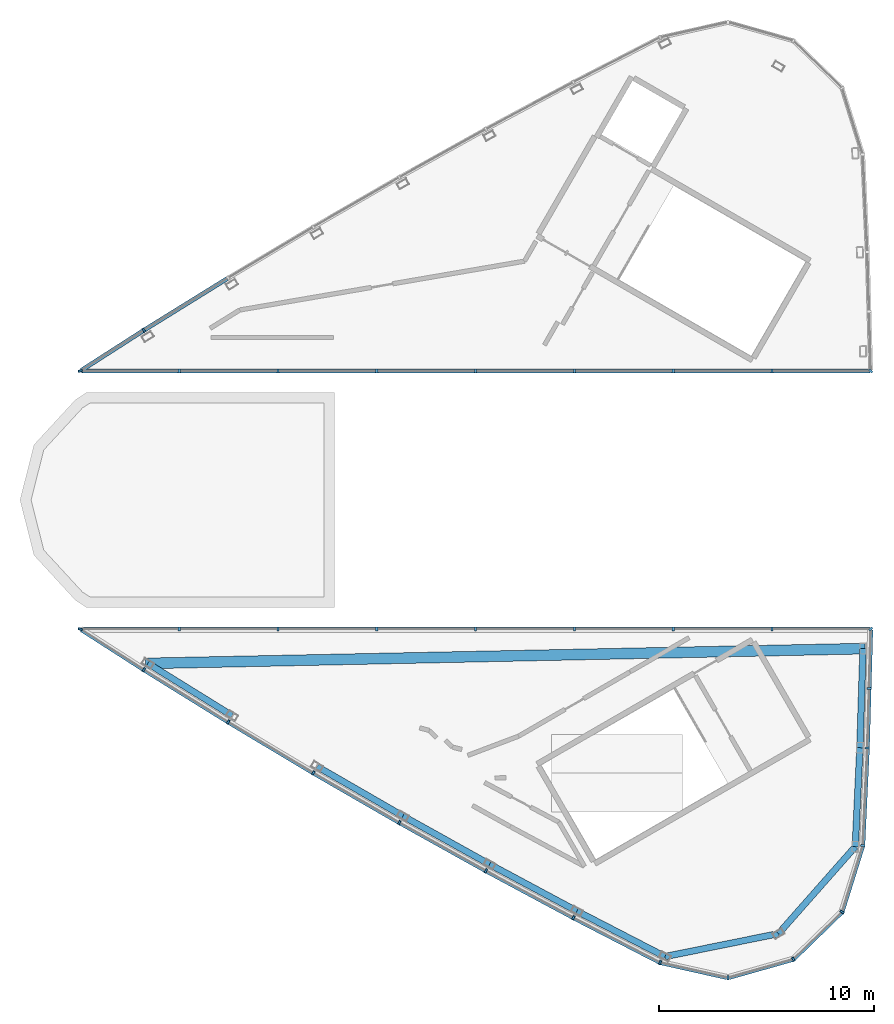
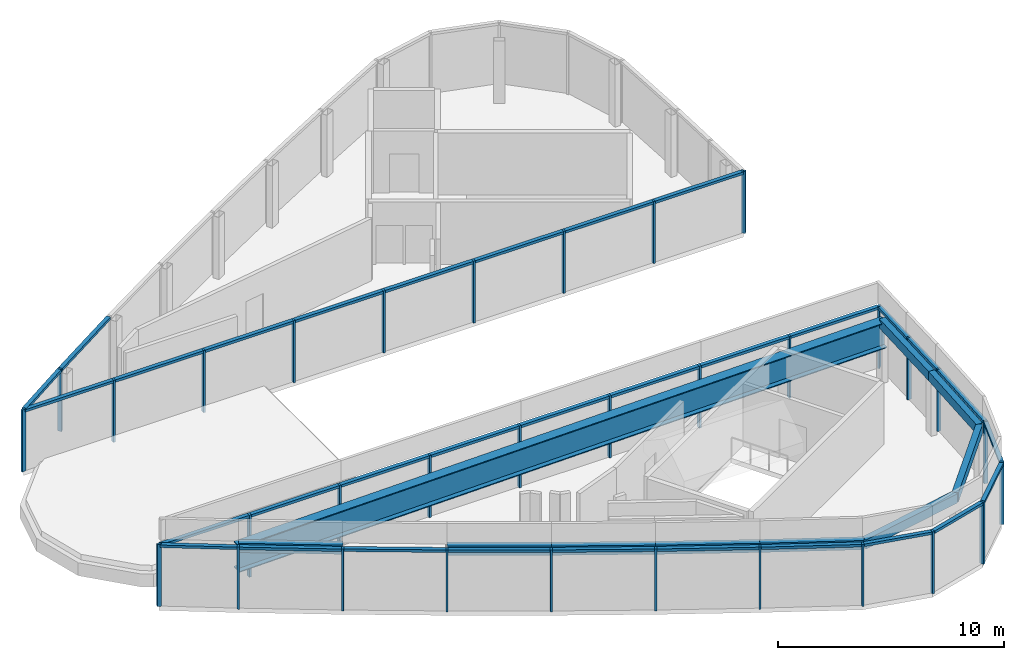
# One storey, part 2 of 7: 54 members, 10 beams, 2 elements without a shape of their own.
"""IFC4 building model written with IfcOpenShell, lengths in metres."""

from ifc_helpers import new_model, si_unit, direction, frame, origin, origin_2d, place, context, subcontext, project, spatial, rectangle, hollow_rectangle, i_section, extrude, material, material_profile, profile_set, type_object, element, aggregate, save


model = new_model("IFC4")

# Units and contexts
model_context = context("Model", 3, precision=1e-05, world=origin(), true_north=direction((0.0, 1.0)))
body_context = subcontext(model_context, "Body", "Model", "MODEL_VIEW")
ifc_project = project(units=[si_unit("LENGTHUNIT", "METRE"), si_unit("AREAUNIT", "SQUARE_METRE"), si_unit("VOLUMEUNIT", "CUBIC_METRE"), si_unit("PLANEANGLEUNIT", "RADIAN"), si_unit("MASSUNIT", "GRAM", prefix="KILO")], contexts=[model_context])

# Site, building, storey
site_placement = place(None, origin())
site = spatial("IfcSite", under=ifc_project, at=site_placement, CompositionType="ELEMENT")
building_placement = place(site_placement, origin())
building = spatial("IfcBuilding", under=site, at=building_placement, Name="Tamra Quay Hotel Tower", CompositionType="ELEMENT")
storey_placement = place(building_placement, frame((0.0, 0.0, 335.0)))
storey = spatial("IfcBuildingStorey", under=building, at=storey_placement, Name="Roof crown 5", CompositionType="ELEMENT", Elevation=335.0)

# Beams
ifc_material_1 = material(Name="Structural steel IS 2062 E350", Category="steel")
ifc_material_profile_1 = material_profile(ifc_material_1, hollow_rectangle(XDim=0.300048828125, YDim=0.5, WallThickness=0.01611328125, at=origin_2d()), Name="RHS 500x300x16")
ifc_profile_set_1 = profile_set([ifc_material_profile_1], Name="Structural steel IS 2062 E350")
beam_type_1 = type_object("IfcBeamType", Name="CROWN FRAME RING BEAM RHS 500x300x16", PredefinedType="BEAM", material=ifc_profile_set_1)
beam_1_placement = place(storey_placement, frame((-9.81201171875, -12.3876953125, 3.10009765625), z_axis=(0.866003789707, -0.500037434811, 0.0), x_axis=(0.500037434811, 0.866003789707, 0.0)))
element("IfcBeam", 1, at=beam_1_placement, inside=storey, type_object=beam_type_1, Name="CF-B-RB00", PredefinedType="BEAM", context=body_context, shape_type="SweptSolid", body=[
    extrude(hollow_rectangle(XDim=0.300048828125, YDim=0.5, WallThickness=0.01611328125, at=origin_2d()), origin(), (0.0, 0.0, 1.0), 4.607177734375),
])
beam_2_placement = place(storey_placement, frame((-5.822265625, -14.69140625, 3.10009765625), z_axis=(0.873752024122, -0.486371668935, 0.0), x_axis=(0.486371668935, 0.873752024122, 0.0)))
element("IfcBeam", 2, at=beam_2_placement, inside=storey, type_object=beam_type_1, Name="CF-B-RB01", PredefinedType="BEAM", context=body_context, shape_type="SweptSolid", body=[
    extrude(hollow_rectangle(XDim=0.300048828125, YDim=0.5, WallThickness=0.01611328125, at=origin_2d()), origin(), (0.0, 0.0, 1.0), 4.60693359375),
])
beam_3_placement = place(storey_placement, frame((-1.796875, -16.93212890625, 3.10009765625), z_axis=(0.881213570035, -0.47271835588, 0.0), x_axis=(0.47271835588, 0.881213570035, 0.0)))
element("IfcBeam", 3, at=beam_3_placement, inside=storey, type_object=beam_type_1, Name="CF-B-RB02", PredefinedType="BEAM", context=body_context, shape_type="SweptSolid", body=[
    extrude(hollow_rectangle(XDim=0.300048828125, YDim=0.5, WallThickness=0.01611328125, at=origin_2d()), origin(), (0.0, 0.0, 1.0), 4.607421875),
])
beam_4_placement = place(storey_placement, frame((2.26318359375, -19.110107421875, 3.10009765625), z_axis=(0.888500094046, -0.458876435306, 0.0), x_axis=(0.458876435306, 0.888500094046, 0.0)))
element("IfcBeam", 4, at=beam_4_placement, inside=storey, type_object=beam_type_1, Name="CF-B-RB03", PredefinedType="BEAM", context=body_context, shape_type="SweptSolid", body=[
    extrude(hollow_rectangle(XDim=0.300048828125, YDim=0.5, WallThickness=0.01611328125, at=origin_2d()), origin(), (0.0, 0.0, 1.0), 4.60693359375),
])
beam_5_placement = place(storey_placement, frame((6.3564453125, -21.22412109375, 3.10009765625), z_axis=(0.980121358969, 0.198398895393, 0.0), x_axis=(-0.198398895393, 0.980121358969, 0.0)))
element("IfcBeam", 5, at=beam_5_placement, inside=storey, type_object=beam_type_1, Name="CF-B-RB04", PredefinedType="BEAM", context=body_context, shape_type="SweptSolid", body=[
    extrude(hollow_rectangle(XDim=0.300048828125, YDim=0.5, WallThickness=0.01611328125, at=origin_2d()), origin(), (0.0, 0.0, 1.0), 5.387451171875),
])
beam_6_placement = place(storey_placement, frame((11.63671875, -20.1552734375, 3.10009765625), z_axis=(0.661876405128, 0.749612983035, 0.0), x_axis=(-0.749612983035, 0.661876405128, 0.0)))
element("IfcBeam", 6, at=beam_6_placement, inside=storey, type_object=beam_type_1, Name="CF-B-RB05", PredefinedType="BEAM", context=body_context, shape_type="SweptSolid", body=[
    extrude(hollow_rectangle(XDim=0.300048828125, YDim=0.5, WallThickness=0.01611328125, at=origin_2d()), origin(), (0.0, 0.0, 1.0), 5.38720703125),
])
beam_7_placement = place(storey_placement, frame((15.202392578125, -16.116943359375, 3.10009765625), z_axis=(0.04684754698, 0.998902050925, 0.0), x_axis=(-0.998902050925, 0.04684754698, 0.0)))
element("IfcBeam", 7, at=beam_7_placement, inside=storey, type_object=beam_type_1, Name="CF-B-RB06", PredefinedType="BEAM", context=body_context, shape_type="SweptSolid", body=[
    extrude(hollow_rectangle(XDim=0.300048828125, YDim=0.5, WallThickness=0.01611328125, at=origin_2d()), origin(), (0.0, 0.0, 1.0), 4.60693359375),
])
beam_8_placement = place(storey_placement, frame((15.418212890625, -11.51513671875, 3.10009765625), z_axis=(0.03120993847, 0.999512851213, 0.0), x_axis=(-0.999512851213, 0.03120993847, 0.0)))
element("IfcBeam", 8, at=beam_8_placement, inside=storey, type_object=beam_type_1, Name="CF-B-RB07", PredefinedType="BEAM", context=body_context, shape_type="SweptSolid", body=[
    extrude(hollow_rectangle(XDim=0.300048828125, YDim=0.5, WallThickness=0.01611328125, at=origin_2d()), origin(), (0.0, 0.0, 1.0), 4.607421875),
])
beam_9_placement = place(storey_placement, frame((-17.681396484375, -7.594970703125, 3.10009765625), z_axis=(0.849969133721, -0.526832489243, 0.0), x_axis=(0.526832489243, 0.849969133721, 0.0)))
element("IfcBeam", 9, at=beam_9_placement, inside=storey, type_object=beam_type_1, Name="CF-B-RB09", PredefinedType="BEAM", context=body_context, shape_type="SweptSolid", body=[
    extrude(hollow_rectangle(XDim=0.300048828125, YDim=0.5, WallThickness=0.01611328125, at=origin_2d()), origin(), (0.0, 0.0, 1.0), 4.607177734375),
])
ifc_material_profile_2 = material_profile(ifc_material_1, i_section(OverallWidth=0.5, OverallDepth=1.39990234375, WebThickness=0.02490234375, FlangeThickness=0.050048828125, at=origin_2d()), Name="WPG 1400x500x25x50")
ifc_profile_set_2 = profile_set([ifc_material_profile_2], Name="Structural steel IS 2062 E350")
beam_type_2 = type_object("IfcBeamType", Name="CROWN SLOT GIRDER WPG 1400x500x25x50", PredefinedType="BEAM", material=ifc_profile_set_2)
beam_10_placement = place(storey_placement, frame((15.662109375, -6.90771484375, 2.550048828125), z_axis=(-0.999787570436, -0.020611016527, 0.0), x_axis=(0.020611016527, -0.999787570436, 0.0)))
element("IfcBeam", 10, at=beam_10_placement, inside=storey, type_object=beam_type_2, Name="CF-B-SG08", PredefinedType="BEAM", context=body_context, shape_type="SweptSolid", body=[
    extrude(i_section(OverallWidth=0.5, OverallDepth=1.39990234375, WebThickness=0.02490234375, FlangeThickness=0.050048828125, at=origin_2d()), origin(), (0.0, 0.0, 1.0), 33.45068359375),
])

# Curtain wall, members
ifc_material_2 = material(Name="Aluminium 6063 anodised dark grey", Category="aluminium")
curtain_wall_type = type_object("IfcCurtainWallType", Name="CW6 CURTAIN WALL", PredefinedType="NOTDEFINED", material=ifc_material_2)
curtain_wall_1_placement = place(storey_placement, origin())
curtain_wall_1 = element("IfcCurtainWall", 11, at=curtain_wall_1_placement, inside=storey, type_object=curtain_wall_type, Name="CW6 lantern A face Roof crown 5", PredefinedType="NOTDEFINED")
ifc_material_profile_3 = material_profile(ifc_material_2, rectangle(XDim=0.199951171875, YDim=0.10009765625, at=origin_2d()), Name="MULLION 100X200")
ifc_profile_set_3 = profile_set([ifc_material_profile_3], Name="Aluminium 6063 anodised dark grey")
member_type_1 = type_object("IfcMemberType", Name="MULLION CW6", PredefinedType="MULLION", material=ifc_profile_set_3)
member_1_placement = place(storey_placement, frame((-17.867919921875, 7.89111328125, 0.0), z_axis=(0.0, 0.0, 1.0), x_axis=(-0.533422330848, 0.845849050926, 0.0)))
member_1 = element("IfcMember", 12, at=member_1_placement, type_object=member_type_1, Name="CW6 mullion Roof crown 5.A.12", PredefinedType="MULLION", context=body_context, shape_type="SweptSolid", body=[
    extrude(rectangle(XDim=0.199951171875, YDim=0.10009765625, at=origin_2d()), origin(), (0.0, 0.0, 1.0), 3.35009765625),
])
member_2_placement = place(storey_placement, frame((-20.815673828125, 6.0, 0.0), z_axis=(0.0, 0.0, 1.0), x_axis=(-0.959600167912, -0.281367229333, 0.0)))
member_2 = element("IfcMember", 13, at=member_2_placement, type_object=member_type_1, Name="CW6 mullion Roof crown 5.A.13", PredefinedType="MULLION", context=body_context, shape_type="SweptSolid", body=[
    extrude(rectangle(XDim=0.199951171875, YDim=0.10009765625, at=origin_2d()), origin(), (0.0, 0.0, 1.0), 3.35009765625),
])
member_3_placement = place(storey_placement, frame((-16.222900390625, 6.0, 0.0), z_axis=(0.0, 0.0, 1.0), x_axis=(0.0, -1.0, 0.0)))
member_3 = element("IfcMember", 14, at=member_3_placement, type_object=member_type_1, Name="CW6 mullion Roof crown 5.A.14", PredefinedType="MULLION", context=body_context, shape_type="SweptSolid", body=[
    extrude(rectangle(XDim=0.199951171875, YDim=0.10009765625, at=origin_2d()), origin(), (0.0, 0.0, 1.0), 3.35009765625),
])
member_4_placement = place(storey_placement, frame((-11.630126953125, 6.0, 0.0), z_axis=(0.0, 0.0, 1.0), x_axis=(0.0, -1.0, 0.0)))
member_4 = element("IfcMember", 15, at=member_4_placement, type_object=member_type_1, Name="CW6 mullion Roof crown 5.A.15", PredefinedType="MULLION", context=body_context, shape_type="SweptSolid", body=[
    extrude(rectangle(XDim=0.199951171875, YDim=0.10009765625, at=origin_2d()), origin(), (0.0, 0.0, 1.0), 3.35009765625),
])
member_5_placement = place(storey_placement, frame((-7.037353515625, 6.0, 0.0), z_axis=(0.0, 0.0, 1.0), x_axis=(0.0, -1.0, 0.0)))
member_5 = element("IfcMember", 16, at=member_5_placement, type_object=member_type_1, Name="CW6 mullion Roof crown 5.A.16", PredefinedType="MULLION", context=body_context, shape_type="SweptSolid", body=[
    extrude(rectangle(XDim=0.199951171875, YDim=0.10009765625, at=origin_2d()), origin(), (0.0, 0.0, 1.0), 3.35009765625),
])
member_6_placement = place(storey_placement, frame((-2.444580078125, 6.0, 0.0), z_axis=(0.0, 0.0, 1.0), x_axis=(0.0, -1.0, 0.0)))
member_6 = element("IfcMember", 17, at=member_6_placement, type_object=member_type_1, Name="CW6 mullion Roof crown 5.A.17", PredefinedType="MULLION", context=body_context, shape_type="SweptSolid", body=[
    extrude(rectangle(XDim=0.199951171875, YDim=0.10009765625, at=origin_2d()), origin(), (0.0, 0.0, 1.0), 3.35009765625),
])
member_7_placement = place(storey_placement, frame((2.148193359375, 6.0, 0.0), z_axis=(0.0, 0.0, 1.0), x_axis=(0.0, -1.0, 0.0)))
member_7 = element("IfcMember", 18, at=member_7_placement, type_object=member_type_1, Name="CW6 mullion Roof crown 5.A.18", PredefinedType="MULLION", context=body_context, shape_type="SweptSolid", body=[
    extrude(rectangle(XDim=0.199951171875, YDim=0.10009765625, at=origin_2d()), origin(), (0.0, 0.0, 1.0), 3.35009765625),
])
member_8_placement = place(storey_placement, frame((6.740966796875, 6.0, 0.0), z_axis=(0.0, 0.0, 1.0), x_axis=(0.0, -1.0, 0.0)))
member_8 = element("IfcMember", 19, at=member_8_placement, type_object=member_type_1, Name="CW6 mullion Roof crown 5.A.19", PredefinedType="MULLION", context=body_context, shape_type="SweptSolid", body=[
    extrude(rectangle(XDim=0.199951171875, YDim=0.10009765625, at=origin_2d()), origin(), (0.0, 0.0, 1.0), 3.35009765625),
])
member_9_placement = place(storey_placement, frame((11.333740234375, 6.0, 0.0), z_axis=(0.0, 0.0, 1.0), x_axis=(0.0, -1.0, 0.0)))
member_9 = element("IfcMember", 20, at=member_9_placement, type_object=member_type_1, Name="CW6 mullion Roof crown 5.A.20", PredefinedType="MULLION", context=body_context, shape_type="SweptSolid", body=[
    extrude(rectangle(XDim=0.199951171875, YDim=0.10009765625, at=origin_2d()), origin(), (0.0, 0.0, 1.0), 3.35009765625),
])
member_10_placement = place(storey_placement, frame((15.92626953125, 6.0, 0.0), z_axis=(0.0, 0.0, 1.0), x_axis=(0.717164497017, -0.696903927538, 0.0)))
member_10 = element("IfcMember", 21, at=member_10_placement, type_object=member_type_1, Name="CW6 mullion Roof crown 5.A.21", PredefinedType="MULLION", context=body_context, shape_type="SweptSolid", body=[
    extrude(rectangle(XDim=0.199951171875, YDim=0.10009765625, at=origin_2d()), origin(), (0.0, 0.0, 1.0), 3.35009765625),
])

curtain_wall_2_placement = place(storey_placement, origin())
curtain_wall_2 = element("IfcCurtainWall", 22, at=curtain_wall_2_placement, inside=storey, type_object=curtain_wall_type, Name="CW6 lantern B face Roof crown 5", PredefinedType="NOTDEFINED")
member_11_placement = place(storey_placement, frame((15.92626953125, -6.0, 0.0), z_axis=(0.0, 0.0, 1.0), x_axis=(0.717164497017, 0.696903927538, 0.0)))
member_11 = element("IfcMember", 23, at=member_11_placement, type_object=member_type_1, Name="CW6 mullion Roof crown 5.B.1", PredefinedType="MULLION", context=body_context, shape_type="SweptSolid", body=[
    extrude(rectangle(XDim=0.199951171875, YDim=0.10009765625, at=origin_2d()), origin(), (0.0, 0.0, 1.0), 3.35009765625),
])
member_12_placement = place(storey_placement, frame((11.333740234375, -6.0, 0.0), z_axis=(0.0, 0.0, 1.0), x_axis=(0.0, 1.0, 0.0)))
member_12 = element("IfcMember", 24, at=member_12_placement, type_object=member_type_1, Name="CW6 mullion Roof crown 5.B.2", PredefinedType="MULLION", context=body_context, shape_type="SweptSolid", body=[
    extrude(rectangle(XDim=0.199951171875, YDim=0.10009765625, at=origin_2d()), origin(), (0.0, 0.0, 1.0), 3.35009765625),
])
member_13_placement = place(storey_placement, frame((6.740966796875, -6.0, 0.0), z_axis=(0.0, 0.0, 1.0), x_axis=(0.0, 1.0, 0.0)))
member_13 = element("IfcMember", 25, at=member_13_placement, type_object=member_type_1, Name="CW6 mullion Roof crown 5.B.3", PredefinedType="MULLION", context=body_context, shape_type="SweptSolid", body=[
    extrude(rectangle(XDim=0.199951171875, YDim=0.10009765625, at=origin_2d()), origin(), (0.0, 0.0, 1.0), 3.35009765625),
])
member_14_placement = place(storey_placement, frame((2.148193359375, -6.0, 0.0), z_axis=(0.0, 0.0, 1.0), x_axis=(0.0, 1.0, 0.0)))
member_14 = element("IfcMember", 26, at=member_14_placement, type_object=member_type_1, Name="CW6 mullion Roof crown 5.B.4", PredefinedType="MULLION", context=body_context, shape_type="SweptSolid", body=[
    extrude(rectangle(XDim=0.199951171875, YDim=0.10009765625, at=origin_2d()), origin(), (0.0, 0.0, 1.0), 3.35009765625),
])
member_15_placement = place(storey_placement, frame((-2.444580078125, -6.0, 0.0), z_axis=(0.0, 0.0, 1.0), x_axis=(0.0, 1.0, 0.0)))
member_15 = element("IfcMember", 27, at=member_15_placement, type_object=member_type_1, Name="CW6 mullion Roof crown 5.B.5", PredefinedType="MULLION", context=body_context, shape_type="SweptSolid", body=[
    extrude(rectangle(XDim=0.199951171875, YDim=0.10009765625, at=origin_2d()), origin(), (0.0, 0.0, 1.0), 3.35009765625),
])
member_16_placement = place(storey_placement, frame((-7.037353515625, -6.0, 0.0), z_axis=(0.0, 0.0, 1.0), x_axis=(0.0, 1.0, 0.0)))
member_16 = element("IfcMember", 28, at=member_16_placement, type_object=member_type_1, Name="CW6 mullion Roof crown 5.B.6", PredefinedType="MULLION", context=body_context, shape_type="SweptSolid", body=[
    extrude(rectangle(XDim=0.199951171875, YDim=0.10009765625, at=origin_2d()), origin(), (0.0, 0.0, 1.0), 3.35009765625),
])
member_17_placement = place(storey_placement, frame((-11.630126953125, -6.0, 0.0), z_axis=(0.0, 0.0, 1.0), x_axis=(0.0, 1.0, 0.0)))
member_17 = element("IfcMember", 29, at=member_17_placement, type_object=member_type_1, Name="CW6 mullion Roof crown 5.B.7", PredefinedType="MULLION", context=body_context, shape_type="SweptSolid", body=[
    extrude(rectangle(XDim=0.199951171875, YDim=0.10009765625, at=origin_2d()), origin(), (0.0, 0.0, 1.0), 3.35009765625),
])
member_18_placement = place(storey_placement, frame((-16.222900390625, -6.0, 0.0), z_axis=(0.0, 0.0, 1.0), x_axis=(0.0, 1.0, 0.0)))
member_18 = element("IfcMember", 30, at=member_18_placement, type_object=member_type_1, Name="CW6 mullion Roof crown 5.B.8", PredefinedType="MULLION", context=body_context, shape_type="SweptSolid", body=[
    extrude(rectangle(XDim=0.199951171875, YDim=0.10009765625, at=origin_2d()), origin(), (0.0, 0.0, 1.0), 3.35009765625),
])
member_19_placement = place(storey_placement, frame((-20.815673828125, -6.0, 0.0), z_axis=(0.0, 0.0, 1.0), x_axis=(-0.959600167912, 0.281367229333, 0.0)))
member_19 = element("IfcMember", 31, at=member_19_placement, type_object=member_type_1, Name="CW6 mullion Roof crown 5.B.9", PredefinedType="MULLION", context=body_context, shape_type="SweptSolid", body=[
    extrude(rectangle(XDim=0.199951171875, YDim=0.10009765625, at=origin_2d()), origin(), (0.0, 0.0, 1.0), 3.35009765625),
])
member_20_placement = place(storey_placement, frame((-17.867919921875, -7.89111328125, 0.0), z_axis=(0.0, 0.0, 1.0), x_axis=(-0.533422330848, -0.845849050926, 0.0)))
member_20 = element("IfcMember", 32, at=member_20_placement, type_object=member_type_1, Name="CW6 mullion Roof crown 5.B.10", PredefinedType="MULLION", context=body_context, shape_type="SweptSolid", body=[
    extrude(rectangle(XDim=0.199951171875, YDim=0.10009765625, at=origin_2d()), origin(), (0.0, 0.0, 1.0), 3.35009765625),
])
member_21_placement = place(storey_placement, frame((-13.947509765625, -10.321044921875, 0.0), z_axis=(0.0, 0.0, 1.0), x_axis=(-0.520160185397, -0.854068721783, 0.0)))
member_21 = element("IfcMember", 33, at=member_21_placement, type_object=member_type_1, Name="CW6 mullion Roof crown 5.B.11", PredefinedType="MULLION", context=body_context, shape_type="SweptSolid", body=[
    extrude(rectangle(XDim=0.199951171875, YDim=0.10009765625, at=origin_2d()), origin(), (0.0, 0.0, 1.0), 3.35009765625),
])
member_22_placement = place(storey_placement, frame((-9.989501953125, -12.689453125, 0.0), z_axis=(0.0, 0.0, 1.0), x_axis=(-0.506753731218, -0.862090862901, 0.0)))
member_22 = element("IfcMember", 34, at=member_22_placement, type_object=member_type_1, Name="CW6 mullion Roof crown 5.B.12", PredefinedType="MULLION", context=body_context, shape_type="SweptSolid", body=[
    extrude(rectangle(XDim=0.199951171875, YDim=0.10009765625, at=origin_2d()), origin(), (0.0, 0.0, 1.0), 3.35009765625),
])
member_23_placement = place(storey_placement, frame((-5.99462890625, -14.995849609375, 0.0), z_axis=(0.0, 0.0, 1.0), x_axis=(-0.493215722033, -0.869907036148, 0.0)))
member_23 = element("IfcMember", 35, at=member_23_placement, type_object=member_type_1, Name="CW6 mullion Roof crown 5.B.13", PredefinedType="MULLION", context=body_context, shape_type="SweptSolid", body=[
    extrude(rectangle(XDim=0.199951171875, YDim=0.10009765625, at=origin_2d()), origin(), (0.0, 0.0, 1.0), 3.35009765625),
])
member_24_placement = place(storey_placement, frame((-1.96435546875, -17.239501953125, 0.0), z_axis=(0.0, 0.0, 1.0), x_axis=(-0.479565116943, -0.877506295483, 0.0)))
member_24 = element("IfcMember", 36, at=member_24_placement, type_object=member_type_1, Name="CW6 mullion Roof crown 5.B.14", PredefinedType="MULLION", context=body_context, shape_type="SweptSolid", body=[
    extrude(rectangle(XDim=0.199951171875, YDim=0.10009765625, at=origin_2d()), origin(), (0.0, 0.0, 1.0), 3.35009765625),
])
member_25_placement = place(storey_placement, frame((2.10009765625, -19.419677734375, 0.0), z_axis=(0.0, 0.0, 1.0), x_axis=(-0.465815600445, -0.884881814923, 0.0)))
member_25 = element("IfcMember", 37, at=member_25_placement, type_object=member_type_1, Name="CW6 mullion Roof crown 5.B.15", PredefinedType="MULLION", context=body_context, shape_type="SweptSolid", body=[
    extrude(rectangle(XDim=0.199951171875, YDim=0.10009765625, at=origin_2d()), origin(), (0.0, 0.0, 1.0), 3.35009765625),
])
member_26_placement = place(storey_placement, frame((6.134033203125, -21.503173828125, 0.0), z_axis=(0.0, 0.0, 1.0), x_axis=(-0.341653426177, -0.939826013888, 0.0)))
member_26 = element("IfcMember", 38, at=member_26_placement, type_object=member_type_1, Name="CW6 mullion Roof crown 5.B.16", PredefinedType="MULLION", context=body_context, shape_type="SweptSolid", body=[
    extrude(rectangle(XDim=0.199951171875, YDim=0.10009765625, at=origin_2d()), origin(), (0.0, 0.0, 1.0), 3.35009765625),
])
member_27_placement = place(storey_placement, frame((9.288330078125, -22.21044921875, 0.0), z_axis=(0.0, 0.0, 1.0), x_axis=(0.027468865497, -0.999622659521, 0.0)))
member_27 = element("IfcMember", 39, at=member_27_placement, type_object=member_type_1, Name="CW6 mullion Roof crown 5.B.17", PredefinedType="MULLION", context=body_context, shape_type="SweptSolid", body=[
    extrude(rectangle(XDim=0.199951171875, YDim=0.10009765625, at=origin_2d()), origin(), (0.0, 0.0, 1.0), 3.35009765625),
])
member_28_placement = place(storey_placement, frame((12.3271484375, -21.351318359375, 0.0), z_axis=(0.0, 0.0, 1.0), x_axis=(0.5, -0.866025403784, 0.0)))
member_28 = element("IfcMember", 40, at=member_28_placement, type_object=member_type_1, Name="CW6 mullion Roof crown 5.B.18", PredefinedType="MULLION", context=body_context, shape_type="SweptSolid", body=[
    extrude(rectangle(XDim=0.199951171875, YDim=0.10009765625, at=origin_2d()), origin(), (0.0, 0.0, 1.0), 3.35009765625),
])
member_29_placement = place(storey_placement, frame((14.5908203125, -19.149169921875, 0.0), z_axis=(0.0, 0.0, 1.0), x_axis=(0.851964184595, -0.523600065094, 0.0)))
member_29 = element("IfcMember", 41, at=member_29_placement, type_object=member_type_1, Name="CW6 mullion Roof crown 5.B.19", PredefinedType="MULLION", context=body_context, shape_type="SweptSolid", body=[
    extrude(rectangle(XDim=0.199951171875, YDim=0.10009765625, at=origin_2d()), origin(), (0.0, 0.0, 1.0), 3.35009765625),
])
member_30_placement = place(storey_placement, frame((15.555419921875, -16.063720703125, 0.0), z_axis=(0.0, 0.0, 1.0), x_axis=(0.984739916253, -0.174032460585, 0.0)))
member_30 = element("IfcMember", 42, at=member_30_placement, type_object=member_type_1, Name="CW6 mullion Roof crown 5.B.20", PredefinedType="MULLION", context=body_context, shape_type="SweptSolid", body=[
    extrude(rectangle(XDim=0.199951171875, YDim=0.10009765625, at=origin_2d()), origin(), (0.0, 0.0, 1.0), 3.35009765625),
])
member_31_placement = place(storey_placement, frame((15.767822265625, -11.528564453125, 0.0), z_axis=(0.0, 0.0, 1.0), x_axis=(0.999287700876, -0.037737128642, 0.0)))
member_31 = element("IfcMember", 43, at=member_31_placement, type_object=member_type_1, Name="CW6 mullion Roof crown 5.B.21", PredefinedType="MULLION", context=body_context, shape_type="SweptSolid", body=[
    extrude(rectangle(XDim=0.199951171875, YDim=0.10009765625, at=origin_2d()), origin(), (0.0, 0.0, 1.0), 3.35009765625),
])
member_32_placement = place(storey_placement, frame((15.84716796875, -8.76416015625, 0.0), z_axis=(0.0, 0.0, 1.0), x_axis=(0.999589509324, -0.028649831581, 0.0)))
member_32 = element("IfcMember", 44, at=member_32_placement, type_object=member_type_1, Name="CW6 mullion Roof crown 5.B.22", PredefinedType="MULLION", context=body_context, shape_type="SweptSolid", body=[
    extrude(rectangle(XDim=0.199951171875, YDim=0.10009765625, at=origin_2d()), origin(), (0.0, 0.0, 1.0), 3.35009765625),
])

# Member
ifc_material_profile_4 = material_profile(ifc_material_2, rectangle(XDim=0.199951171875, YDim=0.139892578125, at=origin_2d()), Name="TRANSOM 200X140")
ifc_profile_set_4 = profile_set([ifc_material_profile_4], Name="Aluminium 6063 anodised dark grey")
member_type_2 = type_object("IfcMemberType", Name="TRANSOM CW6", PredefinedType="USERDEFINED", material=ifc_profile_set_4)
member_33_placement = place(storey_placement, frame((-13.989990234375, 10.294677734375, 3.280029296875), z_axis=(-0.849980220175, -0.526814602409, 0.0), x_axis=(0.526814602409, -0.849980220175, 0.0)))
member_33 = element("IfcMember", 45, at=member_33_placement, type_object=member_type_2, Name="CW6 transom Roof crown 5.A.11", ObjectType="TRANSOM", PredefinedType="USERDEFINED", context=body_context, shape_type="SweptSolid", body=[
    extrude(rectangle(XDim=0.199951171875, YDim=0.139892578125, at=origin_2d()), origin(), (0.0, 0.0, 1.0), 4.512451171875),
])

member_34_placement = place(storey_placement, frame((-17.909912109375, 7.8642578125, 3.280029296875), z_axis=(-0.841670083092, -0.53999210293, 0.0), x_axis=(0.53999210293, -0.841670083092, 0.0)))
member_34 = element("IfcMember", 46, at=member_34_placement, type_object=member_type_2, Name="CW6 transom Roof crown 5.A.12", ObjectType="TRANSOM", PredefinedType="USERDEFINED", context=body_context, shape_type="SweptSolid", body=[
    extrude(rectangle(XDim=0.199951171875, YDim=0.139892578125, at=origin_2d()), origin(), (0.0, 0.0, 1.0), 3.402099609375),
])

member_35_placement = place(storey_placement, frame((-20.765625, 6.0, 3.280029296875), z_axis=(1.0, 0.0, 0.0), x_axis=(0.0, 1.0, 0.0)))
member_35 = element("IfcMember", 47, at=member_35_placement, type_object=member_type_2, Name="CW6 transom Roof crown 5.A.13", ObjectType="TRANSOM", PredefinedType="USERDEFINED", context=body_context, shape_type="SweptSolid", body=[
    extrude(rectangle(XDim=0.199951171875, YDim=0.139892578125, at=origin_2d()), origin(), (0.0, 0.0, 1.0), 13.67822265625),
])

member_36_placement = place(storey_placement, frame((-6.9873046875, 6.0, 3.280029296875), z_axis=(1.0, 0.0, 0.0), x_axis=(0.0, 1.0, 0.0)))
member_36 = element("IfcMember", 48, at=member_36_placement, type_object=member_type_2, Name="CW6 transom Roof crown 5.A.16", ObjectType="TRANSOM", PredefinedType="USERDEFINED", context=body_context, shape_type="SweptSolid", body=[
    extrude(rectangle(XDim=0.199951171875, YDim=0.139892578125, at=origin_2d()), origin(), (0.0, 0.0, 1.0), 13.67822265625),
])

member_37_placement = place(storey_placement, frame((6.790771484375, 6.0, 3.280029296875), z_axis=(1.0, 0.0, 0.0), x_axis=(0.0, 1.0, 0.0)))
member_37 = element("IfcMember", 49, at=member_37_placement, type_object=member_type_2, Name="CW6 transom Roof crown 5.A.19", ObjectType="TRANSOM", PredefinedType="USERDEFINED", context=body_context, shape_type="SweptSolid", body=[
    extrude(rectangle(XDim=0.199951171875, YDim=0.139892578125, at=origin_2d()), origin(), (0.0, 0.0, 1.0), 9.085693359375),
])

aggregate(curtain_wall_1, [member_33, member_1, member_34, member_2, member_35, member_3, member_4, member_5, member_36, member_6, member_7, member_8, member_37, member_9, member_10])

member_38_placement = place(storey_placement, frame((15.87646484375, -6.0, 3.280029296875), z_axis=(-1.0, 0.0, 0.0), x_axis=(0.0, -1.0, 0.0)))
member_38 = element("IfcMember", 50, at=member_38_placement, type_object=member_type_2, Name="CW6 transom Roof crown 5.B.1", ObjectType="TRANSOM", PredefinedType="USERDEFINED", context=body_context, shape_type="SweptSolid", body=[
    extrude(rectangle(XDim=0.199951171875, YDim=0.139892578125, at=origin_2d()), origin(), (0.0, 0.0, 1.0), 13.67822265625),
])

member_39_placement = place(storey_placement, frame((2.09814453125, -6.0, 3.280029296875), z_axis=(-1.0, 0.0, 0.0), x_axis=(0.0, -1.0, 0.0)))
member_39 = element("IfcMember", 51, at=member_39_placement, type_object=member_type_2, Name="CW6 transom Roof crown 5.B.4", ObjectType="TRANSOM", PredefinedType="USERDEFINED", context=body_context, shape_type="SweptSolid", body=[
    extrude(rectangle(XDim=0.199951171875, YDim=0.139892578125, at=origin_2d()), origin(), (0.0, 0.0, 1.0), 13.67822265625),
])

member_40_placement = place(storey_placement, frame((-11.68017578125, -6.0, 3.280029296875), z_axis=(-1.0, 0.0, 0.0), x_axis=(0.0, -1.0, 0.0)))
member_40 = element("IfcMember", 52, at=member_40_placement, type_object=member_type_2, Name="CW6 transom Roof crown 5.B.7", ObjectType="TRANSOM", PredefinedType="USERDEFINED", context=body_context, shape_type="SweptSolid", body=[
    extrude(rectangle(XDim=0.199951171875, YDim=0.139892578125, at=origin_2d()), origin(), (0.0, 0.0, 1.0), 9.08544921875),
])

member_41_placement = place(storey_placement, frame((-20.7734375, -6.027099609375, 3.280029296875), z_axis=(0.841670083092, -0.53999210293, 0.0), x_axis=(0.53999210293, 0.841670083092, 0.0)))
member_41 = element("IfcMember", 53, at=member_41_placement, type_object=member_type_2, Name="CW6 transom Roof crown 5.B.9", ObjectType="TRANSOM", PredefinedType="USERDEFINED", context=body_context, shape_type="SweptSolid", body=[
    extrude(rectangle(XDim=0.199951171875, YDim=0.139892578125, at=origin_2d()), origin(), (0.0, 0.0, 1.0), 3.402099609375),
])

member_42_placement = place(storey_placement, frame((-17.825439453125, -7.91748046875, 3.280029296875), z_axis=(0.849980220175, -0.526814602409, 0.0), x_axis=(0.526814602409, 0.849980220175, 0.0)))
member_42 = element("IfcMember", 54, at=member_42_placement, type_object=member_type_2, Name="CW6 transom Roof crown 5.B.10", ObjectType="TRANSOM", PredefinedType="USERDEFINED", context=body_context, shape_type="SweptSolid", body=[
    extrude(rectangle(XDim=0.199951171875, YDim=0.139892578125, at=origin_2d()), origin(), (0.0, 0.0, 1.0), 4.512451171875),
])

member_43_placement = place(storey_placement, frame((-13.904541015625, -10.3466796875, 3.280029296875), z_axis=(0.858103349305, -0.513477012058, 0.0), x_axis=(0.513477012058, 0.858103349305, 0.0)))
member_43 = element("IfcMember", 55, at=member_43_placement, type_object=member_type_2, Name="CW6 transom Roof crown 5.B.11", ObjectType="TRANSOM", PredefinedType="USERDEFINED", context=body_context, shape_type="SweptSolid", body=[
    extrude(rectangle(XDim=0.199951171875, YDim=0.139892578125, at=origin_2d()), origin(), (0.0, 0.0, 1.0), 4.5126953125),
])

member_44_placement = place(storey_placement, frame((-9.946044921875, -12.71435546875, 3.280029296875), z_axis=(0.86601710485, -0.5000143739, 0.0), x_axis=(0.5000143739, 0.86601710485, 0.0)))
member_44 = element("IfcMember", 56, at=member_44_placement, type_object=member_type_2, Name="CW6 transom Roof crown 5.B.12", ObjectType="TRANSOM", PredefinedType="USERDEFINED", context=body_context, shape_type="SweptSolid", body=[
    extrude(rectangle(XDim=0.199951171875, YDim=0.139892578125, at=origin_2d()), origin(), (0.0, 0.0, 1.0), 4.512451171875),
])

member_45_placement = place(storey_placement, frame((-5.950927734375, -15.02001953125, 3.280029296875), z_axis=(0.8737256573, -0.486419033114, 0.0), x_axis=(0.486419033114, 0.8737256573, 0.0)))
member_45 = element("IfcMember", 57, at=member_45_placement, type_object=member_type_2, Name="CW6 transom Roof crown 5.B.13", ObjectType="TRANSOM", PredefinedType="USERDEFINED", context=body_context, shape_type="SweptSolid", body=[
    extrude(rectangle(XDim=0.199951171875, YDim=0.139892578125, at=origin_2d()), origin(), (0.0, 0.0, 1.0), 4.5126953125),
])

member_46_placement = place(storey_placement, frame((-1.92041015625, -17.262939453125, 3.280029296875), z_axis=(0.881213593075, -0.47271831293, 0.0), x_axis=(0.47271831293, 0.881213593075, 0.0)))
member_46 = element("IfcMember", 58, at=member_46_placement, type_object=member_type_2, Name="CW6 transom Roof crown 5.B.14", ObjectType="TRANSOM", PredefinedType="USERDEFINED", context=body_context, shape_type="SweptSolid", body=[
    extrude(rectangle(XDim=0.199951171875, YDim=0.139892578125, at=origin_2d()), origin(), (0.0, 0.0, 1.0), 4.51220703125),
])

member_47_placement = place(storey_placement, frame((2.14453125, -19.442626953125, 3.280029296875), z_axis=(0.888489056093, -0.458897806928, 0.0), x_axis=(0.458897806928, 0.888489056093, 0.0)))
member_47 = element("IfcMember", 59, at=member_47_placement, type_object=member_type_2, Name="CW6 transom Roof crown 5.B.15", ObjectType="TRANSOM", PredefinedType="USERDEFINED", context=body_context, shape_type="SweptSolid", body=[
    extrude(rectangle(XDim=0.199951171875, YDim=0.139892578125, at=origin_2d()), origin(), (0.0, 0.0, 1.0), 4.440185546875),
])

member_48_placement = place(storey_placement, frame((6.182861328125, -21.51416015625, 3.280029296875), z_axis=(0.97575974355, -0.218844517563, 0.0), x_axis=(0.218844517563, 0.97575974355, 0.0)))
member_48 = element("IfcMember", 60, at=member_48_placement, type_object=member_type_2, Name="CW6 transom Roof crown 5.B.16", ObjectType="TRANSOM", PredefinedType="USERDEFINED", context=body_context, shape_type="SweptSolid", body=[
    extrude(rectangle(XDim=0.199951171875, YDim=0.139892578125, at=origin_2d()), origin(), (0.0, 0.0, 1.0), 3.132568359375),
])

member_49_placement = place(storey_placement, frame((9.33642578125, -22.197021484375, 3.280029296875), z_axis=(0.962273511824, 0.272083973143, 0.0), x_axis=(-0.272083973143, 0.962273511824, 0.0)))
member_49 = element("IfcMember", 61, at=member_49_placement, type_object=member_type_2, Name="CW6 transom Roof crown 5.B.17", ObjectType="TRANSOM", PredefinedType="USERDEFINED", context=body_context, shape_type="SweptSolid", body=[
    extrude(rectangle(XDim=0.199951171875, YDim=0.139892578125, at=origin_2d()), origin(), (0.0, 0.0, 1.0), 3.05810546875),
])

member_50_placement = place(storey_placement, frame((12.363037109375, -21.31640625, 3.280029296875), z_axis=(0.716779852689, 0.697299535909, 0.0), x_axis=(-0.697299535909, 0.716779852689, 0.0)))
member_50 = element("IfcMember", 62, at=member_50_placement, type_object=member_type_2, Name="CW6 transom Roof crown 5.B.18", ObjectType="TRANSOM", PredefinedType="USERDEFINED", context=body_context, shape_type="SweptSolid", body=[
    extrude(rectangle(XDim=0.199951171875, YDim=0.139892578125, at=origin_2d()), origin(), (0.0, 0.0, 1.0), 3.057861328125),
])

member_51_placement = place(storey_placement, frame((14.605712890625, -19.1015625, 3.280029296875), z_axis=(0.298403676177, 0.954439755063, 0.0), x_axis=(-0.954439755063, 0.298403676177, 0.0)))
member_51 = element("IfcMember", 63, at=member_51_placement, type_object=member_type_2, Name="CW6 transom Roof crown 5.B.19", ObjectType="TRANSOM", PredefinedType="USERDEFINED", context=body_context, shape_type="SweptSolid", body=[
    extrude(rectangle(XDim=0.199951171875, YDim=0.139892578125, at=origin_2d()), origin(), (0.0, 0.0, 1.0), 3.1328125),
])

member_52_placement = place(storey_placement, frame((15.5576171875, -16.013916015625, 3.280029296875), z_axis=(0.046844159112, 0.998902209807, 0.0), x_axis=(-0.998902209807, 0.046844159112, 0.0)))
member_52 = element("IfcMember", 64, at=member_52_placement, type_object=member_type_2, Name="CW6 transom Roof crown 5.B.20", ObjectType="TRANSOM", PredefinedType="USERDEFINED", context=body_context, shape_type="SweptSolid", body=[
    extrude(rectangle(XDim=0.199951171875, YDim=0.139892578125, at=origin_2d()), origin(), (0.0, 0.0, 1.0), 4.4404296875),
])

member_53_placement = place(storey_placement, frame((15.769287109375, -11.478515625, 3.280029296875), z_axis=(0.02866959947, 0.999588942549, 0.0), x_axis=(-0.999588942549, 0.02866959947, 0.0)))
member_53 = element("IfcMember", 65, at=member_53_placement, type_object=member_type_2, Name="CW6 transom Roof crown 5.B.21", ObjectType="TRANSOM", PredefinedType="USERDEFINED", context=body_context, shape_type="SweptSolid", body=[
    extrude(rectangle(XDim=0.199951171875, YDim=0.139892578125, at=origin_2d()), origin(), (0.0, 0.0, 1.0), 2.665283203125),
])

member_54_placement = place(storey_placement, frame((15.8486328125, -8.71435546875, 3.280029296875), z_axis=(0.02866959947, 0.999588942549, 0.0), x_axis=(-0.999588942549, 0.02866959947, 0.0)))
member_54 = element("IfcMember", 66, at=member_54_placement, type_object=member_type_2, Name="CW6 transom Roof crown 5.B.22", ObjectType="TRANSOM", PredefinedType="USERDEFINED", context=body_context, shape_type="SweptSolid", body=[
    extrude(rectangle(XDim=0.199951171875, YDim=0.139892578125, at=origin_2d()), origin(), (0.0, 0.0, 1.0), 2.665283203125),
])

aggregate(curtain_wall_2, [member_11, member_38, member_12, member_13, member_14, member_39, member_15, member_16, member_17, member_40, member_18, member_19, member_41, member_20, member_42, member_21, member_43, member_22, member_44, member_23, member_45, member_24, member_46, member_25, member_47, member_26, member_48, member_27, member_49, member_28, member_50, member_29, member_51, member_30, member_52, member_31, member_53, member_32, member_54])

save(model, "model.ifc")
